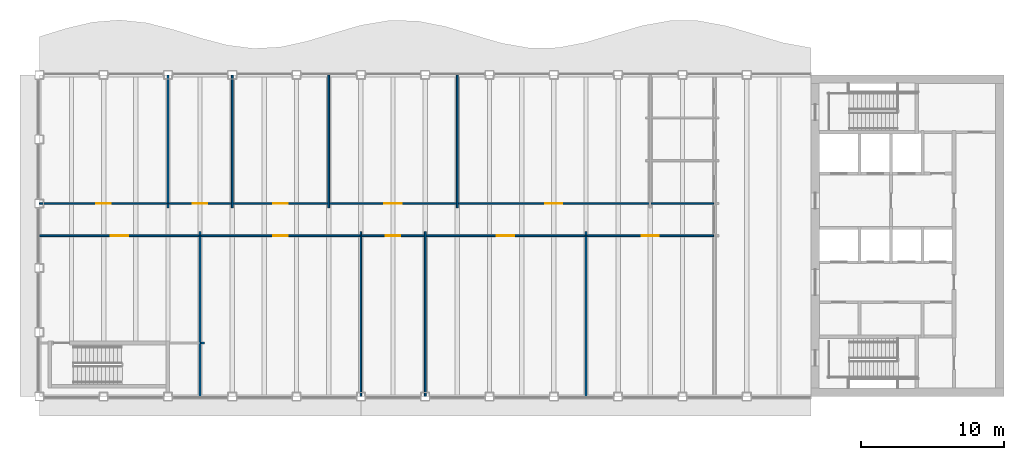
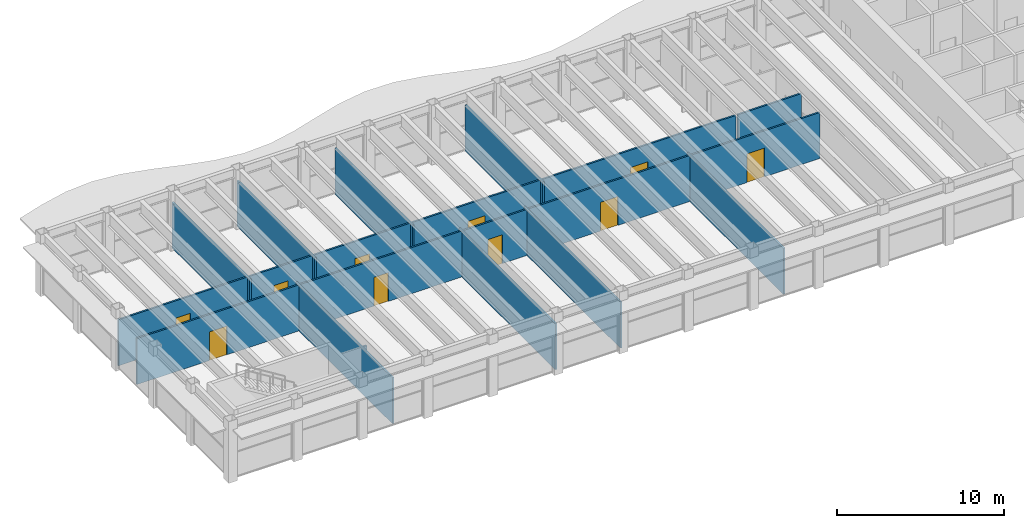
# One storey, part 9 of 15: 20 walls, 10 doors, 10 openings.
"""IFC4 building model written with IfcOpenShell, lengths in metres."""

from ifc_helpers import new_model, si_unit, direction, frame, frame_2d, origin, place, context, subcontext, project, spatial, rectangle, extrude, material, layer, layer_set, type_object, element, fill, save


model = new_model("IFC4")

# Units and contexts
model_context = context("Model", 3, precision=1e-05, world=origin(), true_north=direction((0.0, 1.0)))
body_context = subcontext(model_context, "Body", "Model", "MODEL_VIEW")
ifc_project = project(units=[si_unit("LENGTHUNIT", "METRE"), si_unit("AREAUNIT", "SQUARE_METRE"), si_unit("VOLUMEUNIT", "CUBIC_METRE"), si_unit("PLANEANGLEUNIT", "RADIAN"), si_unit("MASSUNIT", "GRAM", prefix="KILO")], contexts=[model_context])

# Site, building, storey
site_placement = place(None, origin())
site = spatial("IfcSite", under=ifc_project, at=site_placement, CompositionType="ELEMENT")
building_placement = place(site_placement, origin())
building = spatial("IfcBuilding", under=site, at=building_placement, Name="Sennacour Bend Tower", CompositionType="ELEMENT")
storey_placement = place(building_placement, frame((0.0, 0.0, 323.0)))
storey = spatial("IfcBuildingStorey", under=building, at=storey_placement, Name="L74", CompositionType="ELEMENT", Elevation=323.0)

# Walls
ifc_material_1 = material(Name="Plasterboard partition on steel studs", Category="steel")
ifc_layer_1 = layer(ifc_material_1, 0.1201171875, Name="Plasterboard partition on steel studs", Category="steel")
ifc_layer_set_1 = layer_set([ifc_layer_1], Name="Plasterboard partition on steel studs")
wall_type_1 = type_object("IfcWallType", Name="Partition 120", PredefinedType="PARTITIONING", material=ifc_layer_set_1)
wall_1_placement = place(storey_placement, frame((9.0, 13.199951171875, 0.0), z_axis=(0.0, 0.0, 1.0), x_axis=(0.0, 1.0, 0.0)))
element("IfcWall", 1, at=wall_1_placement, inside=storey, type_object=wall_type_1, Name="P-L74-W004a", PredefinedType="PARTITIONING", context=body_context, shape_type="SweptSolid", body=[
    extrude(rectangle(XDim=9.2900390625, YDim=0.1201171875, at=frame_2d((4.64501953125, 0.0))), origin(), (0.0, 0.0, 1.0), 3.35888671875),
])
wall_2_placement = place(storey_placement, frame((11.25, 0.010009765625, 0.0), z_axis=(0.0, 0.0, 1.0), x_axis=(0.0, 1.0, 0.0)))
element("IfcWall", 2, at=wall_2_placement, inside=storey, type_object=wall_type_1, Name="P-L74-W005a", PredefinedType="PARTITIONING", context=body_context, shape_type="SweptSolid", body=[
    extrude(rectangle(XDim=11.5400390625, YDim=0.1201171875, at=frame_2d((5.77001953125, 0.0))), origin(), (0.0, 0.0, 1.0), 3.35888671875),
])
for number, where, z_axis, x_axis, name in (
    (3, (13.5, 13.199951171875, 0.0), (0.0, 0.0, 1.0), (0.0, 1.0, 0.0), "P-L74-W006a"),
    (4, (20.25, 13.199951171875, 0.0), (0.0, 0.0, 1.0), (0.0, 1.0, 0.0), "P-L74-W007a"),
):
    element("IfcWall", number, at=place(storey_placement, frame(where, z_axis=z_axis, x_axis=x_axis)), inside=storey, type_object=wall_type_1, Name=name, PredefinedType="PARTITIONING", context=body_context, shape_type="SweptSolid", body=[
        extrude(rectangle(XDim=9.2900390625, YDim=0.1201171875, at=frame_2d((4.64501953125, 0.0))), origin(), (0.0, 0.0, 1.0), 3.35888671875),
    ])
for number, where, z_axis, x_axis, name in (
    (5, (22.5, 0.010009765625, 0.0), (0.0, 0.0, 1.0), (0.0, 1.0, 0.0), "P-L74-W008a"),
    (6, (27.0, 0.010009765625, 0.0), (0.0, 0.0, 1.0), (0.0, 1.0, 0.0), "P-L74-W009a"),
):
    element("IfcWall", number, at=place(storey_placement, frame(where, z_axis=z_axis, x_axis=x_axis)), inside=storey, type_object=wall_type_1, Name=name, PredefinedType="PARTITIONING", context=body_context, shape_type="SweptSolid", body=[
        extrude(rectangle(XDim=11.5400390625, YDim=0.1201171875, at=frame_2d((5.77001953125, 0.0))), origin(), (0.0, 0.0, 1.0), 3.35888671875),
    ])
wall_3_placement = place(storey_placement, frame((29.25, 13.199951171875, 0.0), z_axis=(0.0, 0.0, 1.0), x_axis=(0.0, 1.0, 0.0)))
element("IfcWall", 7, at=wall_3_placement, inside=storey, type_object=wall_type_1, Name="P-L74-W010a", PredefinedType="PARTITIONING", context=body_context, shape_type="SweptSolid", body=[
    extrude(rectangle(XDim=9.2900390625, YDim=0.1201171875, at=frame_2d((4.64501953125, 0.0))), origin(), (0.0, 0.0, 1.0), 3.35888671875),
])
wall_4_placement = place(storey_placement, frame((38.25, 0.010009765625, 0.0), z_axis=(0.0, 0.0, 1.0), x_axis=(0.0, 1.0, 0.0)))
element("IfcWall", 8, at=wall_4_placement, inside=storey, type_object=wall_type_1, Name="P-L74-W011a", PredefinedType="PARTITIONING", context=body_context, shape_type="SweptSolid", body=[
    extrude(rectangle(XDim=11.5400390625, YDim=0.1201171875, at=frame_2d((5.77001953125, 0.0))), origin(), (0.0, 0.0, 1.0), 3.35888671875),
])
wall_5_placement = place(storey_placement, frame((11.31005859375, 3.75, 0.0), z_axis=(0.0, 0.0, 1.0), x_axis=(1.0, 0.0, 0.0)))
element("IfcWall", 9, at=wall_5_placement, inside=storey, type_object=wall_type_1, Name="P-L74-W031ab", PredefinedType="PARTITIONING", context=body_context, shape_type="SweptSolid", body=[
    extrude(rectangle(XDim=0.239990234375, YDim=0.1201171875, at=frame_2d((0.1201171875, 0.0))), origin(), (0.0, 0.0, 1.0), 3.35888671875),
])

# Wall, opening, door
wall_6_placement = place(storey_placement, frame((11.31005859375, 11.25, 0.0), z_axis=(0.0, 0.0, 1.0), x_axis=(1.0, 0.0, 0.0)))
wall_6 = element("IfcWall", 10, at=wall_6_placement, inside=storey, type_object=wall_type_1, Name="P-L74-W036ab", PredefinedType="PARTITIONING", context=body_context, shape_type="SweptSolid", body=[
    extrude(rectangle(XDim=11.1298828125, YDim=0.1201171875, at=frame_2d((5.56494140625, 0.0))), origin(), (0.0, 0.0, 1.0), 3.35888671875),
])
opening_1_placement = place(wall_6_placement, frame((5.06494140625, 0.0, 0.0)))
opening_1 = element("IfcOpeningElement", 11, at=opening_1_placement, cuts=wall_6, Name="Opening OD2", PredefinedType="OPENING", context=body_context, shape_type="SweptSolid", body=[
    extrude(rectangle(XDim=1.0, YDim=2.10009765625, at=frame_2d((0.5, 1.050048828125))), frame((0.0, 0.070068359375, 0.0), z_axis=(0.0, -1.0, 0.0), x_axis=(1.0, 0.0, 0.0)), (0.0, 0.0, 1.0), 0.14013671875),
])
ifc_material_2 = material(Name="Timber", Category="wood")
door_type_1 = type_object("IfcDoorType", Name="DR-OFFICE-1000", OperationType="NOTDEFINED", PredefinedType="DOOR", material=ifc_material_2)
door_1_placement = place(opening_1_placement, origin())
door_1 = element("IfcDoor", 12, at=door_1_placement, inside=storey, type_object=door_type_1, Name="Door", OperationType="SINGLE_SWING_LEFT", OverallHeight=2.10009765625, OverallWidth=1.0, PredefinedType="DOOR", context=body_context, shape_type="SweptSolid", body=[
    extrude(rectangle(XDim=1.0, YDim=2.10009765625, at=frame_2d((0.5, 1.050048828125))), frame((0.0, 0.02490234375, 0.0), z_axis=(0.0, -1.0, 0.0), x_axis=(1.0, 0.0, 0.0)), (0.0, 0.0, 1.0), 0.050048828125),
])
fill(opening_1, door_1)

wall_7_placement = place(storey_placement, frame((22.56005859375, 11.25, 0.0), z_axis=(0.0, 0.0, 1.0), x_axis=(1.0, 0.0, 0.0)))
wall_7 = element("IfcWall", 13, at=wall_7_placement, inside=storey, type_object=wall_type_1, Name="P-L74-W036ac", PredefinedType="PARTITIONING", context=body_context, shape_type="SweptSolid", body=[
    extrude(rectangle(XDim=4.3798828125, YDim=0.1201171875, at=frame_2d((2.18994140625, 0.0))), origin(), (0.0, 0.0, 1.0), 3.35888671875),
])
opening_2_placement = place(wall_7_placement, frame((1.68994140625, 0.0, 0.0)))
opening_2 = element("IfcOpeningElement", 14, at=opening_2_placement, cuts=wall_7, Name="Opening OD2", PredefinedType="OPENING", context=body_context, shape_type="SweptSolid", body=[
    extrude(rectangle(XDim=1.0, YDim=2.10009765625, at=frame_2d((0.5, 1.050048828125))), frame((0.0, 0.070068359375, 0.0), z_axis=(0.0, -1.0, 0.0), x_axis=(1.0, 0.0, 0.0)), (0.0, 0.0, 1.0), 0.14013671875),
])
door_2_placement = place(opening_2_placement, origin())
door_2 = element("IfcDoor", 15, at=door_2_placement, inside=storey, type_object=door_type_1, Name="Door", OperationType="SINGLE_SWING_LEFT", OverallHeight=2.10009765625, OverallWidth=1.0, PredefinedType="DOOR", context=body_context, shape_type="SweptSolid", body=[
    extrude(rectangle(XDim=1.0, YDim=2.10009765625, at=frame_2d((0.5, 1.050048828125))), frame((0.0, 0.02490234375, 0.0), z_axis=(0.0, -1.0, 0.0), x_axis=(1.0, 0.0, 0.0)), (0.0, 0.0, 1.0), 0.050048828125),
])
fill(opening_2, door_2)

wall_8_placement = place(storey_placement, frame((27.06005859375, 11.25, 0.0), z_axis=(0.0, 0.0, 1.0), x_axis=(1.0, 0.0, 0.0)))
wall_8 = element("IfcWall", 16, at=wall_8_placement, inside=storey, type_object=wall_type_1, Name="P-L74-W036ad", PredefinedType="PARTITIONING", context=body_context, shape_type="SweptSolid", body=[
    extrude(rectangle(XDim=11.1298828125, YDim=0.1201171875, at=frame_2d((5.56494140625, 0.0))), origin(), (0.0, 0.0, 1.0), 3.35888671875),
])
opening_3_placement = place(wall_8_placement, frame((4.96484375, 0.0, 0.0)))
opening_3 = element("IfcOpeningElement", 17, at=opening_3_placement, cuts=wall_8, Name="Opening OD", PredefinedType="OPENING", context=body_context, shape_type="SweptSolid", body=[
    extrude(rectangle(XDim=1.199951171875, YDim=2.10009765625, at=frame_2d((0.60009765625, 1.050048828125))), frame((0.0, 0.070068359375, 0.0), z_axis=(0.0, -1.0, 0.0), x_axis=(1.0, 0.0, 0.0)), (0.0, 0.0, 1.0), 0.14013671875),
])
door_type_2 = type_object("IfcDoorType", Name="DR-OFFICE-1200", OperationType="NOTDEFINED", PredefinedType="DOOR", material=ifc_material_2)
door_3_placement = place(opening_3_placement, origin())
door_3 = element("IfcDoor", 18, at=door_3_placement, inside=storey, type_object=door_type_2, Name="Door", OperationType="SINGLE_SWING_LEFT", OverallHeight=2.10009765625, OverallWidth=1.199951171875, PredefinedType="DOOR", context=body_context, shape_type="SweptSolid", body=[
    extrude(rectangle(XDim=1.199951171875, YDim=2.10009765625, at=frame_2d((0.60009765625, 1.050048828125))), frame((0.0, 0.02490234375, 0.0), z_axis=(0.0, -1.0, 0.0), x_axis=(1.0, 0.0, 0.0)), (0.0, 0.0, 1.0), 0.050048828125),
])
fill(opening_3, door_3)

wall_9_placement = place(storey_placement, frame((38.31005859375, 11.25, 0.0), z_axis=(0.0, 0.0, 1.0), x_axis=(1.0, 0.0, 0.0)))
wall_9 = element("IfcWall", 19, at=wall_9_placement, inside=storey, type_object=wall_type_1, Name="P-L74-W036ae", PredefinedType="PARTITIONING", context=body_context, shape_type="SweptSolid", body=[
    extrude(rectangle(XDim=8.8798828125, YDim=0.1201171875, at=frame_2d((4.43994140625, 0.0))), origin(), (0.0, 0.0, 1.0), 3.35888671875),
])
opening_4_placement = place(wall_9_placement, frame((3.83984375, 0.0, 0.0)))
opening_4 = element("IfcOpeningElement", 20, at=opening_4_placement, cuts=wall_9, Name="Opening MD", PredefinedType="OPENING", context=body_context, shape_type="SweptSolid", body=[
    extrude(rectangle(XDim=1.199951171875, YDim=2.10009765625, at=frame_2d((0.60009765625, 1.050048828125))), frame((0.0, 0.070068359375, 0.0), z_axis=(0.0, -1.0, 0.0), x_axis=(1.0, 0.0, 0.0)), (0.0, 0.0, 1.0), 0.14013671875),
])
door_type_3 = type_object("IfcDoorType", Name="DR-MEETING-1200", OperationType="NOTDEFINED", PredefinedType="DOOR", material=ifc_material_2)
door_4_placement = place(opening_4_placement, origin())
door_4 = element("IfcDoor", 21, at=door_4_placement, inside=storey, type_object=door_type_3, Name="Door", OperationType="SINGLE_SWING_LEFT", OverallHeight=2.10009765625, OverallWidth=1.199951171875, PredefinedType="DOOR", context=body_context, shape_type="SweptSolid", body=[
    extrude(rectangle(XDim=1.199951171875, YDim=2.10009765625, at=frame_2d((0.60009765625, 1.050048828125))), frame((0.0, 0.02490234375, 0.0), z_axis=(0.0, -1.0, 0.0), x_axis=(1.0, 0.0, 0.0)), (0.0, 0.0, 1.0), 0.050048828125),
])
fill(opening_4, door_4)

wall_10_placement = place(storey_placement, frame((0.010009765625, 13.5, 0.0), z_axis=(0.0, 0.0, 1.0), x_axis=(1.0, 0.0, 0.0)))
wall_10 = element("IfcWall", 22, at=wall_10_placement, inside=storey, type_object=wall_type_1, Name="P-L74-W038aa", PredefinedType="PARTITIONING", context=body_context, shape_type="SweptSolid", body=[
    extrude(rectangle(XDim=8.929931640625, YDim=0.1201171875, at=frame_2d((4.46484375, 0.0))), origin(), (0.0, 0.0, 1.0), 3.35888671875),
])
opening_5_placement = place(wall_10_placement, frame((3.97509765625, 0.0, 0.0)))
opening_5 = element("IfcOpeningElement", 23, at=opening_5_placement, cuts=wall_10, Name="Opening OD2", PredefinedType="OPENING", context=body_context, shape_type="SweptSolid", body=[
    extrude(rectangle(XDim=1.0, YDim=2.10009765625, at=frame_2d((0.5, 1.050048828125))), frame((0.0, 0.070068359375, 0.0), z_axis=(0.0, -1.0, 0.0), x_axis=(1.0, 0.0, 0.0)), (0.0, 0.0, 1.0), 0.14013671875),
])
door_5_placement = place(opening_5_placement, origin())
door_5 = element("IfcDoor", 24, at=door_5_placement, inside=storey, type_object=door_type_1, Name="Door", OperationType="SINGLE_SWING_RIGHT", OverallHeight=2.10009765625, OverallWidth=1.0, PredefinedType="DOOR", context=body_context, shape_type="SweptSolid", body=[
    extrude(rectangle(XDim=1.0, YDim=2.10009765625, at=frame_2d((0.5, 1.050048828125))), frame((0.0, 0.02490234375, 0.0), z_axis=(0.0, -1.0, 0.0), x_axis=(1.0, 0.0, 0.0)), (0.0, 0.0, 1.0), 0.050048828125),
])
fill(opening_5, door_5)

wall_11_placement = place(storey_placement, frame((9.06005859375, 13.5, 0.0), z_axis=(0.0, 0.0, 1.0), x_axis=(1.0, 0.0, 0.0)))
wall_11 = element("IfcWall", 25, at=wall_11_placement, inside=storey, type_object=wall_type_1, Name="P-L74-W038ab", PredefinedType="PARTITIONING", context=body_context, shape_type="SweptSolid", body=[
    extrude(rectangle(XDim=4.3798828125, YDim=0.1201171875, at=frame_2d((2.18994140625, 0.0))), origin(), (0.0, 0.0, 1.0), 3.35888671875),
])
opening_6_placement = place(wall_11_placement, frame((1.68994140625, 0.0, 0.0)))
opening_6 = element("IfcOpeningElement", 26, at=opening_6_placement, cuts=wall_11, Name="Opening OD2", PredefinedType="OPENING", context=body_context, shape_type="SweptSolid", body=[
    extrude(rectangle(XDim=1.0, YDim=2.10009765625, at=frame_2d((0.5, 1.050048828125))), frame((0.0, 0.070068359375, 0.0), z_axis=(0.0, -1.0, 0.0), x_axis=(1.0, 0.0, 0.0)), (0.0, 0.0, 1.0), 0.14013671875),
])
door_6_placement = place(opening_6_placement, origin())
door_6 = element("IfcDoor", 27, at=door_6_placement, inside=storey, type_object=door_type_1, Name="Door", OperationType="SINGLE_SWING_LEFT", OverallHeight=2.10009765625, OverallWidth=1.0, PredefinedType="DOOR", context=body_context, shape_type="SweptSolid", body=[
    extrude(rectangle(XDim=1.0, YDim=2.10009765625, at=frame_2d((0.5, 1.050048828125))), frame((0.0, 0.02490234375, 0.0), z_axis=(0.0, -1.0, 0.0), x_axis=(1.0, 0.0, 0.0)), (0.0, 0.0, 1.0), 0.050048828125),
])
fill(opening_6, door_6)

wall_12_placement = place(storey_placement, frame((13.56005859375, 13.5, 0.0), z_axis=(0.0, 0.0, 1.0), x_axis=(1.0, 0.0, 0.0)))
wall_12 = element("IfcWall", 28, at=wall_12_placement, inside=storey, type_object=wall_type_1, Name="P-L74-W038ac", PredefinedType="PARTITIONING", context=body_context, shape_type="SweptSolid", body=[
    extrude(rectangle(XDim=6.6298828125, YDim=0.1201171875, at=frame_2d((3.31494140625, 0.0))), origin(), (0.0, 0.0, 1.0), 3.35888671875),
])
opening_7_placement = place(wall_12_placement, frame((2.81494140625, 0.0, 0.0)))
opening_7 = element("IfcOpeningElement", 29, at=opening_7_placement, cuts=wall_12, Name="Opening MD2", PredefinedType="OPENING", context=body_context, shape_type="SweptSolid", body=[
    extrude(rectangle(XDim=1.0, YDim=2.10009765625, at=frame_2d((0.5, 1.050048828125))), frame((0.0, 0.070068359375, 0.0), z_axis=(0.0, -1.0, 0.0), x_axis=(1.0, 0.0, 0.0)), (0.0, 0.0, 1.0), 0.14013671875),
])
door_type_4 = type_object("IfcDoorType", Name="DR-MEETING-1000", OperationType="NOTDEFINED", PredefinedType="DOOR", material=ifc_material_2)
door_7_placement = place(opening_7_placement, origin())
door_7 = element("IfcDoor", 30, at=door_7_placement, inside=storey, type_object=door_type_4, Name="Door", OperationType="SINGLE_SWING_LEFT", OverallHeight=2.10009765625, OverallWidth=1.0, PredefinedType="DOOR", context=body_context, shape_type="SweptSolid", body=[
    extrude(rectangle(XDim=1.0, YDim=2.10009765625, at=frame_2d((0.5, 1.050048828125))), frame((0.0, 0.02490234375, 0.0), z_axis=(0.0, -1.0, 0.0), x_axis=(1.0, 0.0, 0.0)), (0.0, 0.0, 1.0), 0.050048828125),
])
fill(opening_7, door_7)

wall_13_placement = place(storey_placement, frame((20.31005859375, 13.5, 0.0), z_axis=(0.0, 0.0, 1.0), x_axis=(1.0, 0.0, 0.0)))
wall_13 = element("IfcWall", 31, at=wall_13_placement, inside=storey, type_object=wall_type_1, Name="P-L74-W038ad", PredefinedType="PARTITIONING", context=body_context, shape_type="SweptSolid", body=[
    extrude(rectangle(XDim=8.8798828125, YDim=0.1201171875, at=frame_2d((4.43994140625, 0.0))), origin(), (0.0, 0.0, 1.0), 3.35888671875),
])
opening_8_placement = place(wall_13_placement, frame((3.83984375, 0.0, 0.0)))
opening_8 = element("IfcOpeningElement", 32, at=opening_8_placement, cuts=wall_13, Name="Opening OD", PredefinedType="OPENING", context=body_context, shape_type="SweptSolid", body=[
    extrude(rectangle(XDim=1.199951171875, YDim=2.10009765625, at=frame_2d((0.60009765625, 1.050048828125))), frame((0.0, 0.070068359375, 0.0), z_axis=(0.0, -1.0, 0.0), x_axis=(1.0, 0.0, 0.0)), (0.0, 0.0, 1.0), 0.14013671875),
])
door_8_placement = place(opening_8_placement, origin())
door_8 = element("IfcDoor", 33, at=door_8_placement, inside=storey, type_object=door_type_2, Name="Door", OperationType="SINGLE_SWING_LEFT", OverallHeight=2.10009765625, OverallWidth=1.199951171875, PredefinedType="DOOR", context=body_context, shape_type="SweptSolid", body=[
    extrude(rectangle(XDim=1.199951171875, YDim=2.10009765625, at=frame_2d((0.60009765625, 1.050048828125))), frame((0.0, 0.02490234375, 0.0), z_axis=(0.0, -1.0, 0.0), x_axis=(1.0, 0.0, 0.0)), (0.0, 0.0, 1.0), 0.050048828125),
])
fill(opening_8, door_8)

wall_14_placement = place(storey_placement, frame((29.31005859375, 13.5, 0.0), z_axis=(0.0, 0.0, 1.0), x_axis=(1.0, 0.0, 0.0)))
wall_14 = element("IfcWall", 34, at=wall_14_placement, inside=storey, type_object=wall_type_1, Name="P-L74-W038ae", PredefinedType="PARTITIONING", context=body_context, shape_type="SweptSolid", body=[
    extrude(rectangle(XDim=13.3798828125, YDim=0.1201171875, at=frame_2d((6.68994140625, 0.0))), origin(), (0.0, 0.0, 1.0), 3.35888671875),
])
opening_9_placement = place(wall_14_placement, frame((6.08984375, 0.0, 0.0)))
opening_9 = element("IfcOpeningElement", 35, at=opening_9_placement, cuts=wall_14, Name="Opening MD", PredefinedType="OPENING", context=body_context, shape_type="SweptSolid", body=[
    extrude(rectangle(XDim=1.199951171875, YDim=2.10009765625, at=frame_2d((0.60009765625, 1.050048828125))), frame((0.0, 0.070068359375, 0.0), z_axis=(0.0, -1.0, 0.0), x_axis=(1.0, 0.0, 0.0)), (0.0, 0.0, 1.0), 0.14013671875),
])
door_9_placement = place(opening_9_placement, origin())
door_9 = element("IfcDoor", 36, at=door_9_placement, inside=storey, type_object=door_type_3, Name="Door", OperationType="SINGLE_SWING_LEFT", OverallHeight=2.10009765625, OverallWidth=1.199951171875, PredefinedType="DOOR", context=body_context, shape_type="SweptSolid", body=[
    extrude(rectangle(XDim=1.199951171875, YDim=2.10009765625, at=frame_2d((0.60009765625, 1.050048828125))), frame((0.0, 0.02490234375, 0.0), z_axis=(0.0, -1.0, 0.0), x_axis=(1.0, 0.0, 0.0)), (0.0, 0.0, 1.0), 0.050048828125),
])
fill(opening_9, door_9)

# Wall
wall_15_placement = place(storey_placement, frame((42.81005859375, 13.5, 0.0), z_axis=(0.0, 0.0, 1.0), x_axis=(1.0, 0.0, 0.0)))
element("IfcWall", 37, at=wall_15_placement, inside=storey, type_object=wall_type_1, Name="P-L74-W038af", PredefinedType="PARTITIONING", context=body_context, shape_type="SweptSolid", body=[
    extrude(rectangle(XDim=4.3798828125, YDim=0.1201171875, at=frame_2d((2.18994140625, 0.0))), origin(), (0.0, 0.0, 1.0), 3.35888671875),
])

# Wall, opening, door
ifc_layer_2 = layer(ifc_material_1, 0.1201171875, Name="Plasterboard partition on steel studs", Category="steel")
ifc_layer_set_2 = layer_set([ifc_layer_2], Name="Plasterboard partition on steel studs")
wall_type_2 = type_object("IfcWallType", Name="Partition 120 EI 30", PredefinedType="PARTITIONING", material=ifc_layer_set_2)
wall_16_placement = place(storey_placement, frame((0.010009765625, 11.25, 0.0), z_axis=(0.0, 0.0, 1.0), x_axis=(1.0, 0.0, 0.0)))
wall_16 = element("IfcWall", 38, at=wall_16_placement, inside=storey, type_object=wall_type_2, Name="P-L74-W036aa", PredefinedType="PARTITIONING", context=body_context, shape_type="SweptSolid", body=[
    extrude(rectangle(XDim=11.179931640625, YDim=0.1201171875, at=frame_2d((5.58984375, 0.0))), origin(), (0.0, 0.0, 1.0), 3.35888671875),
])
opening_10_placement = place(wall_16_placement, frame((5.0, 0.0, 0.0)))
opening_10 = element("IfcOpeningElement", 39, at=opening_10_placement, cuts=wall_16, Name="Opening KD2", PredefinedType="OPENING", context=body_context, shape_type="SweptSolid", body=[
    extrude(rectangle(XDim=1.199951171875, YDim=2.10009765625, at=frame_2d((0.60009765625, 1.050048828125))), frame((0.0, 0.070068359375, 0.0), z_axis=(0.0, -1.0, 0.0), x_axis=(1.0, 0.0, 0.0)), (0.0, 0.0, 1.0), 0.14013671875),
])
ifc_material_3 = material(Name="Painted steel", Category="steel")
door_type_5 = type_object("IfcDoorType", Name="DR-CORRIDOR-1200", OperationType="NOTDEFINED", PredefinedType="DOOR", material=ifc_material_3)
door_10_placement = place(opening_10_placement, origin())
door_10 = element("IfcDoor", 40, at=door_10_placement, inside=storey, type_object=door_type_5, Name="Door", OperationType="SINGLE_SWING_LEFT", OverallHeight=2.10009765625, OverallWidth=1.199951171875, PredefinedType="DOOR", context=body_context, shape_type="SweptSolid", body=[
    extrude(rectangle(XDim=1.199951171875, YDim=2.10009765625, at=frame_2d((0.60009765625, 1.050048828125))), frame((0.0, 0.02490234375, 0.0), z_axis=(0.0, -1.0, 0.0), x_axis=(1.0, 0.0, 0.0)), (0.0, 0.0, 1.0), 0.050048828125),
])
fill(opening_10, door_10)

save(model, "model.ifc")
